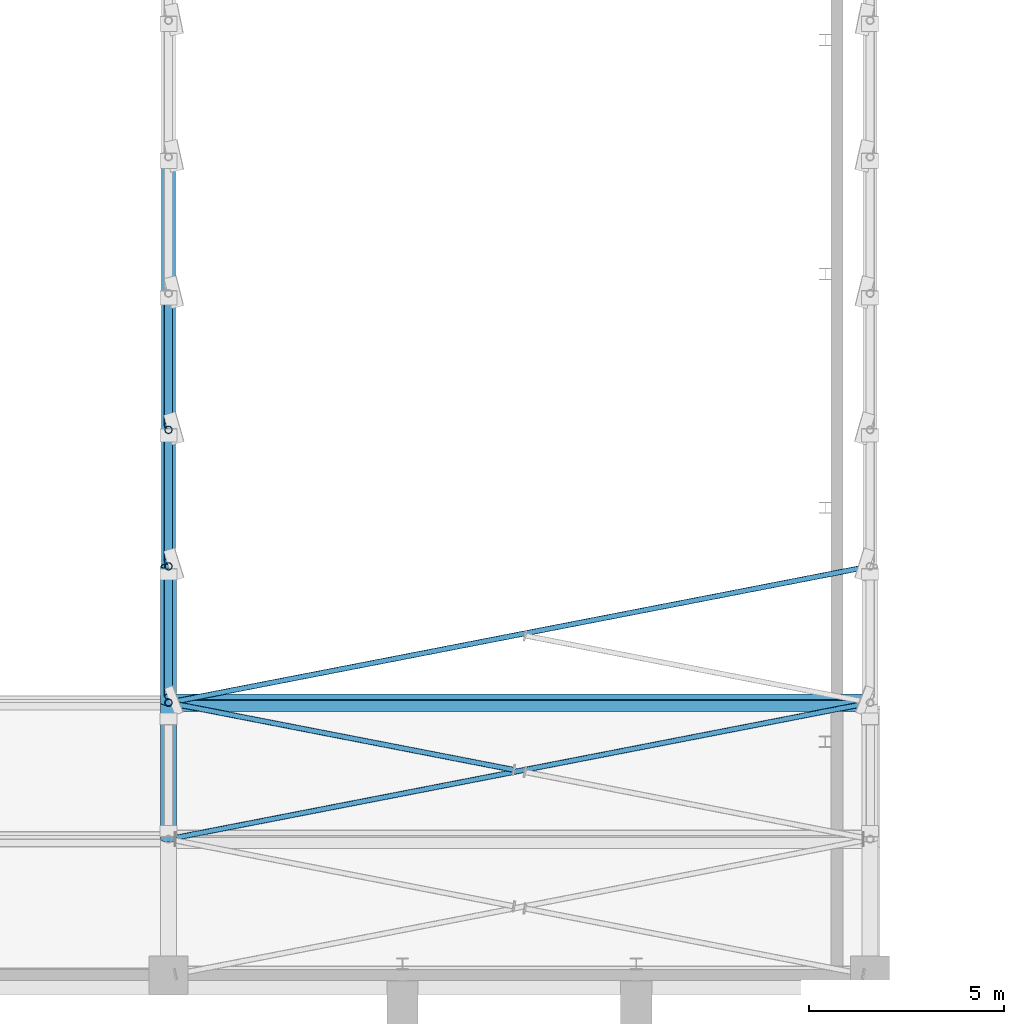
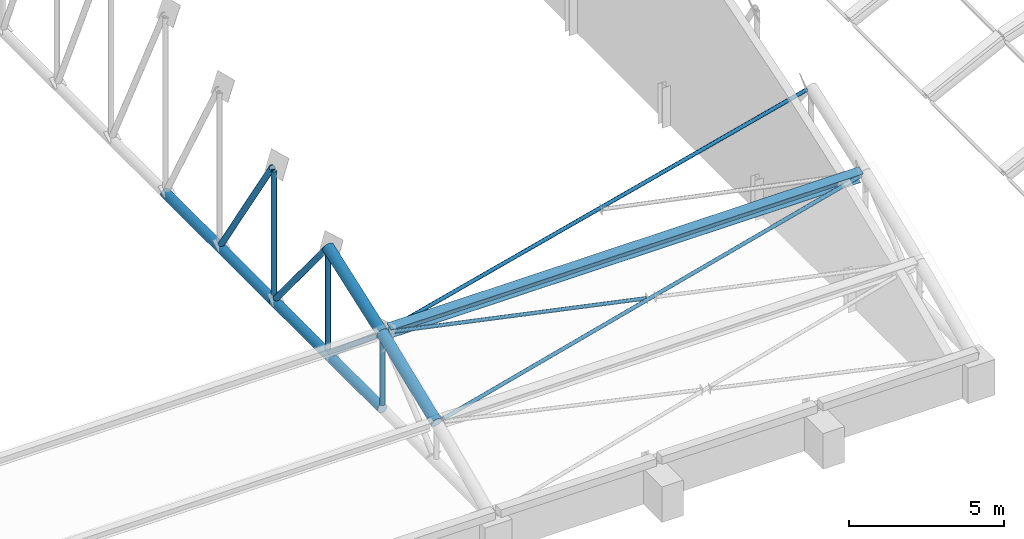
# One storey, part 46 of 196: 14 members.
"""IFC4 building model written with IfcOpenShell, lengths in metres."""

from ifc_helpers import new_model, si_unit, direction, frame, origin, origin_2d, place, context, subcontext, project, spatial, hollow_circle, i_section, extrude, material, material_profile, profile_set, type_object, element, save


model = new_model("IFC4")

# Units and contexts
model_context = context("Model", 3, precision=1e-05, world=origin(), true_north=direction((0.0, 1.0)))
body_context = subcontext(model_context, "Body", "Model", "MODEL_VIEW")
ifc_project = project(units=[si_unit("LENGTHUNIT", "METRE"), si_unit("AREAUNIT", "SQUARE_METRE"), si_unit("VOLUMEUNIT", "CUBIC_METRE"), si_unit("PLANEANGLEUNIT", "RADIAN"), si_unit("MASSUNIT", "GRAM", prefix="KILO")], contexts=[model_context])

# Site, building, storey
site_placement = place(None, origin())
site = spatial("IfcSite", under=ifc_project, at=site_placement, CompositionType="ELEMENT")
building_placement = place(site_placement, origin())
building = spatial("IfcBuilding", under=site, at=building_placement, Name="Okhra Congress Centre", CompositionType="ELEMENT")
storey_placement = place(building_placement, frame((0.0, 0.0, 12.0)))
storey = spatial("IfcBuildingStorey", under=building, at=storey_placement, Name="L02", CompositionType="ELEMENT", Elevation=12.0)

# Members
ifc_material_1 = material(Name="Steel S355J2H", Category="steel")
ifc_material_profile_1 = material_profile(ifc_material_1, hollow_circle(Radius=0.06982421875, WallThickness=0.00634765625, at=origin_2d()), Name="CHS 139.7x6.3")
ifc_profile_set_1 = profile_set([ifc_material_profile_1], Name="Steel S355J2H")
member_type_1 = type_object("IfcMemberType", Name="CHS 139.7x6.3", PredefinedType="BRACE", material=ifc_profile_set_1)
member_1_placement = place(storey_placement, frame((136.185546875, 135.5361328125, 2.981201171875), z_axis=(0.978737844173, 0.190304112179, 0.07652827759), x_axis=(-0.190863837306, 0.981616521667, 0.0)))
element("IfcMember", 1, at=member_1_placement, inside=storey, type_object=member_type_1, Name="EH.MEM.L02.XB7-02-1", PredefinedType="BRACE", context=body_context, shape_type="SweptSolid", body=[
    extrude(hollow_circle(Radius=0.06982421875, WallThickness=0.00634765625, at=origin_2d()), origin(), (0.0, 0.0, 1.0), 18.011962890625),
])
member_2_placement = place(storey_placement, frame((144.847412109375, 137.27978515625, 3.682373046875), z_axis=(-0.97874056041, 0.19029150725, 0.076524882736), x_axis=(-0.190851145429, -0.981618989368, 0.0)))
element("IfcMember", 2, at=member_2_placement, inside=storey, type_object=member_type_1, Name="EH.MEM.L02.XB7-02-2b", PredefinedType="BRACE", context=body_context, shape_type="SweptSolid", body=[
    extrude(hollow_circle(Radius=0.06982421875, WallThickness=0.00634765625, at=origin_2d()), origin(), (0.0, 0.0, 1.0), 8.85009765625),
])
member_3_placement = place(storey_placement, frame((136.185546875, 139.0361328125, 4.386962890625), z_axis=(0.979325120361, 0.190418301156, 0.068287474809), x_axis=(-0.190863837306, 0.981616521667, 0.0)))
element("IfcMember", 3, at=member_3_placement, inside=storey, type_object=member_type_1, Name="EH.MEM.L02.XB7-03-1", PredefinedType="BRACE", context=body_context, shape_type="SweptSolid", body=[
    extrude(hollow_circle(Radius=0.06982421875, WallThickness=0.00634765625, at=origin_2d()), origin(), (0.0, 0.0, 1.0), 18.0009765625),
])
ifc_material_profile_2 = material_profile(ifc_material_1, hollow_circle(Radius=0.096923828125, WallThickness=0.012451171875, at=origin_2d()), Name="CHS 193.7x12.5")
ifc_profile_set_2 = profile_set([ifc_material_profile_2], Name="Steel S355J2H")
member_type_2 = type_object("IfcMemberType", Name="CHS 193.7x12.5", PredefinedType="POST", material=ifc_profile_set_2)
member_4_placement = place(storey_placement, frame((136.0, 139.0, 1.577880859375), z_axis=(0.0, 0.0, 1.0), x_axis=(1.0, 0.0, 0.0)))
element("IfcMember", 4, at=member_4_placement, inside=storey, type_object=member_type_2, Name="EH.MEM.L02.T7-VER-02", PredefinedType="POST", context=body_context, shape_type="SweptSolid", body=[
    extrude(hollow_circle(Radius=0.096923828125, WallThickness=0.012451171875, at=origin_2d()), origin(), (0.0, 0.0, 1.0), 2.578857421875),
])
member_5_placement = place(storey_placement, frame((136.0, 142.5, 1.577880859375), z_axis=(0.0, 0.0, 1.0), x_axis=(1.0, 0.0, 0.0)))
element("IfcMember", 5, at=member_5_placement, inside=storey, type_object=member_type_2, Name="EH.MEM.L02.T7-VER-03", PredefinedType="POST", context=body_context, shape_type="SweptSolid", body=[
    extrude(hollow_circle(Radius=0.096923828125, WallThickness=0.012451171875, at=origin_2d()), origin(), (0.0, 0.0, 1.0), 3.836669921875),
])
member_6_placement = place(storey_placement, frame((136.0, 146.0, 1.577880859375), z_axis=(0.0, 0.0, 1.0), x_axis=(1.0, 0.0, 0.0)))
element("IfcMember", 6, at=member_6_placement, inside=storey, type_object=member_type_2, Name="EH.MEM.L02.T7-VER-04", PredefinedType="POST", context=body_context, shape_type="SweptSolid", body=[
    extrude(hollow_circle(Radius=0.096923828125, WallThickness=0.012451171875, at=origin_2d()), origin(), (0.0, 0.0, 1.0), 4.947998046875),
])
ifc_material_profile_3 = material_profile(ifc_material_1, hollow_circle(Radius=0.109619140625, WallThickness=0.012451171875, at=origin_2d()), Name="CHS 219.1x12.5")
ifc_profile_set_3 = profile_set([ifc_material_profile_3], Name="Steel S355J2H")
member_type_3 = type_object("IfcMemberType", Name="CHS 219.1x12.5", PredefinedType="BRACE", material=ifc_profile_set_3)
member_7_placement = place(storey_placement, frame((136.0, 139.1611328125, 4.237060546875), z_axis=(0.0, 0.762061047132, -0.64750518179), x_axis=(-1.0, 0.0, 0.0)))
element("IfcMember", 7, at=member_7_placement, inside=storey, type_object=member_type_3, Name="EH.MEM.L02.T7-DIA-02", PredefinedType="BRACE", context=body_context, shape_type="SweptSolid", body=[
    extrude(hollow_circle(Radius=0.109619140625, WallThickness=0.012451171875, at=origin_2d()), origin(), (0.0, 0.0, 1.0), 4.106689453125),
])
member_8_placement = place(storey_placement, frame((136.0, 142.626220703125, 5.476318359375), z_axis=(0.0, 0.637599309049, -0.770368172435), x_axis=(-1.0, 0.0, 0.0)))
element("IfcMember", 8, at=member_8_placement, inside=storey, type_object=member_type_3, Name="EH.MEM.L02.T7-DIA-03", PredefinedType="BRACE", context=body_context, shape_type="SweptSolid", body=[
    extrude(hollow_circle(Radius=0.109619140625, WallThickness=0.012451171875, at=origin_2d()), origin(), (0.0, 0.0, 1.0), 5.060546875),
])
member_9_placement = place(storey_placement, frame((136.0, 146.10595703125, 6.576416015625), z_axis=(0.0, 0.548312008951, -0.836273843211), x_axis=(-1.0, 0.0, 0.0)))
element("IfcMember", 9, at=member_9_placement, inside=storey, type_object=member_type_3, Name="EH.MEM.L02.T7-DIA-04", PredefinedType="BRACE", context=body_context, shape_type="SweptSolid", body=[
    extrude(hollow_circle(Radius=0.109619140625, WallThickness=0.012451171875, at=origin_2d()), origin(), (0.0, 0.0, 1.0), 5.97705078125),
])
ifc_material_profile_4 = material_profile(ifc_material_1, hollow_circle(Radius=0.177734375, WallThickness=0.01611328125, at=origin_2d()), Name="CHS 355.6x16.0")
ifc_profile_set_4 = profile_set([ifc_material_profile_4], Name="Steel S355J2H")
member_type_4 = type_object("IfcMemberType", Name="CHS 355.6x16.0", PredefinedType="CHORD", material=ifc_profile_set_4)
for number, where, z_axis, x_axis, name in (
    (10, (136.0, 139.0, 1.39990234375), (0.0, 1.0, 0.0), (-1.0, 0.0, 0.0), "EH.MEM.L02.T7-BOT-02"),
    (11, (136.0, 146.0, 1.39990234375), (0.0, 1.0, 0.0), (-1.0, 0.0, 0.0), "EH.MEM.L02.T7-BOT-03"),
):
    element("IfcMember", number, at=place(storey_placement, frame(where, z_axis=z_axis, x_axis=x_axis)), inside=storey, type_object=member_type_4, Name=name, PredefinedType="CHORD", context=body_context, shape_type="SweptSolid", body=[
        extrude(hollow_circle(Radius=0.177734375, WallThickness=0.01611328125, at=origin_2d()), origin(), (0.0, 0.0, 1.0), 7.0),
    ])
ifc_material_profile_5 = material_profile(ifc_material_1, hollow_circle(Radius=0.203125, WallThickness=0.02490234375, at=origin_2d()), Name="CHS 406.4x25.0")
ifc_profile_set_5 = profile_set([ifc_material_profile_5], Name="Steel S355J2H")
member_type_5 = type_object("IfcMemberType", Name="CHS 406.4x25.0", PredefinedType="CHORD", material=ifc_profile_set_5)
member_10_placement = place(storey_placement, frame((136.0, 135.5, 2.966796875), z_axis=(0.0, 0.927814639871, 0.373041544658), x_axis=(-1.0, 0.0, 0.0)))
element("IfcMember", 12, at=member_10_placement, inside=storey, type_object=member_type_5, Name="EH.MEM.L02.T7-TOP-02", PredefinedType="CHORD", context=body_context, shape_type="SweptSolid", body=[
    extrude(hollow_circle(Radius=0.203125, WallThickness=0.02490234375, at=origin_2d()), origin(), (0.0, 0.0, 1.0), 3.772216796875),
])
member_11_placement = place(storey_placement, frame((136.0, 139.0, 4.3740234375), z_axis=(0.0, 0.941304373418, 0.337558997192), x_axis=(-1.0, 0.0, 0.0)))
element("IfcMember", 13, at=member_11_placement, inside=storey, type_object=member_type_5, Name="EH.MEM.L02.T7-TOP-03", PredefinedType="CHORD", context=body_context, shape_type="SweptSolid", body=[
    extrude(hollow_circle(Radius=0.203125, WallThickness=0.02490234375, at=origin_2d()), origin(), (0.0, 0.0, 1.0), 3.71826171875),
])
ifc_material_2 = material(Name="Steel S355J2", Category="steel")
ifc_material_profile_6 = material_profile(ifc_material_2, i_section(OverallWidth=0.300048828125, OverallDepth=0.5, WebThickness=0.014404296875, FlangeThickness=0.028076171875, at=origin_2d()), Name="HE 500 B")
ifc_profile_set_6 = profile_set([ifc_material_profile_6], Name="Steel S355J2")
member_type_6 = type_object("IfcMemberType", Name="HE 500 B", PredefinedType="PURLIN", material=ifc_profile_set_6)
member_12_placement = place(storey_placement, frame((136.203125, 139.0, 4.3740234375), z_axis=(1.0, 0.0, 0.0), x_axis=(0.0, 0.934732963292, 0.355350935465)))
element("IfcMember", 14, at=member_12_placement, inside=storey, type_object=member_type_6, Name="EH.MEM.L02.PU7-03", PredefinedType="PURLIN", context=body_context, shape_type="SweptSolid", body=[
    extrude(i_section(OverallWidth=0.300048828125, OverallDepth=0.5, WebThickness=0.014404296875, FlangeThickness=0.028076171875, at=origin_2d()), origin(), (0.0, 0.0, 1.0), 17.59375),
])

save(model, "model.ifc")
